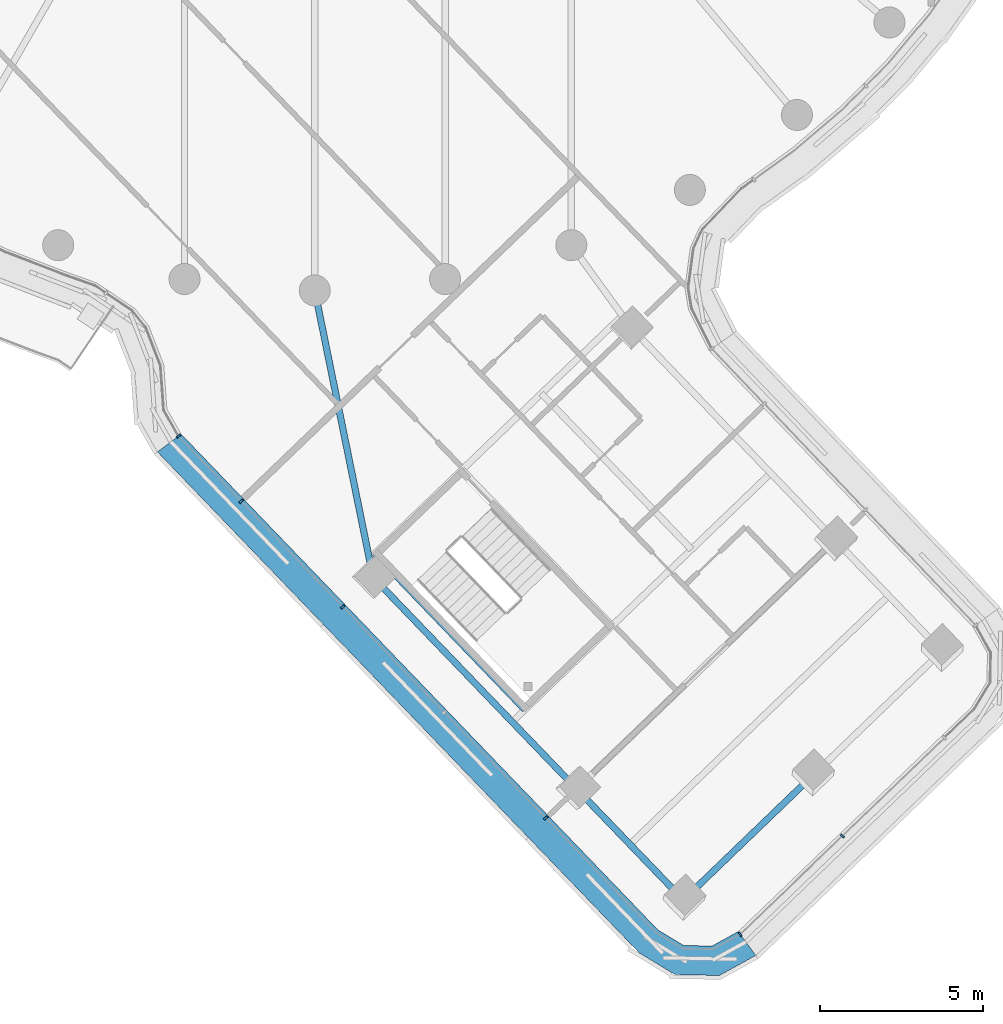
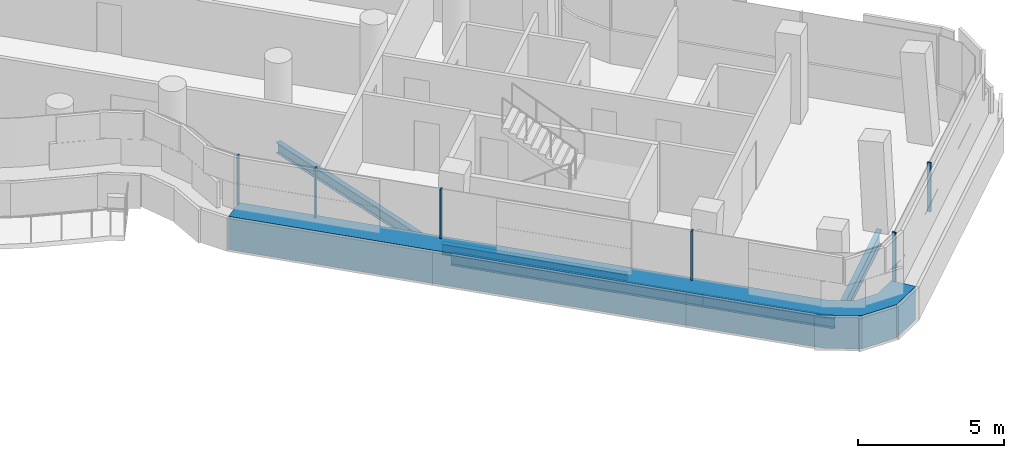
# One storey, part 5 of 34: 7 members, 5 beams, 2 elements without a shape of their own.
"""IFC4 building model written with IfcOpenShell, lengths in metres."""

from ifc_helpers import new_model, si_unit, direction, frame, origin, origin_2d, place, context, subcontext, project, spatial, polyline, rectangle, i_section, outline, extrude, material, layer, layer_set, material_profile, profile_set, type_object, element, aggregate, save


model = new_model("IFC4")

# Units and contexts
model_context = context("Model", 3, precision=1e-05, world=origin(), true_north=direction((0.0, 1.0)))
body_context = subcontext(model_context, "Body", "Model", "MODEL_VIEW")
ifc_project = project(units=[si_unit("LENGTHUNIT", "METRE"), si_unit("AREAUNIT", "SQUARE_METRE"), si_unit("VOLUMEUNIT", "CUBIC_METRE"), si_unit("PLANEANGLEUNIT", "RADIAN"), si_unit("MASSUNIT", "GRAM", prefix="KILO")], contexts=[model_context])

# Site, building, storey
site_placement = place(None, origin())
site = spatial("IfcSite", under=ifc_project, at=site_placement, CompositionType="ELEMENT")
building_placement = place(site_placement, origin())
building = spatial("IfcBuilding", under=site, at=building_placement, Name="Tamarind Cross Interchange Tower", CompositionType="ELEMENT")
storey_placement = place(building_placement, frame((0.0, 0.0, 193.300048828125)))
storey = spatial("IfcBuildingStorey", under=building, at=storey_placement, Name="L48", CompositionType="ELEMENT", Elevation=193.300048828125)

# Beams
ifc_material_1 = material(Name="Steel Q355B", Category="steel")
ifc_material_profile_1 = material_profile(ifc_material_1, i_section(OverallWidth=0.198974609375, OverallDepth=0.446044921875, WebThickness=0.008056640625, FlangeThickness=0.011962890625, FilletRadius=0.012939453125, at=origin_2d()), Name="HN 446x199x8x12")
ifc_profile_set_1 = profile_set([ifc_material_profile_1], Name="Steel Q355B")
beam_type_1 = type_object("IfcBeamType", Name="Composite beam HN 446x199x8x12 Q355B", PredefinedType="BEAM", material=ifc_profile_set_1)
beam_1_placement = place(storey_placement, frame((11.302490234375, -41.687255859375, -0.363037109375), z_axis=(-0.693148989558, 0.720794338404, 0.0), x_axis=(-0.720794338404, -0.693148989558, 0.0)))
element("IfcBeam", 1, at=beam_1_placement, inside=storey, type_object=beam_type_1, Name="Beam S-edgeem5", PredefinedType="BEAM", context=body_context, shape_type="SweptSolid", body=[
    extrude(i_section(OverallWidth=0.198974609375, OverallDepth=0.446044921875, WebThickness=0.008056640625, FlangeThickness=0.011962890625, FilletRadius=0.012939453125, at=origin_2d()), origin(), (0.0, 0.0, 1.0), 4.724609375),
])
beam_2_placement = place(storey_placement, frame((8.027587890625, -38.28173828125, -0.363037109375), z_axis=(-0.69317810497, 0.720766338553, 0.0), x_axis=(-0.720766338553, -0.69317810497, 0.0)))
element("IfcBeam", 2, at=beam_2_placement, inside=storey, type_object=beam_type_1, Name="Beam S-edgeem6", PredefinedType="BEAM", context=body_context, shape_type="SweptSolid", body=[
    extrude(i_section(OverallWidth=0.198974609375, OverallDepth=0.446044921875, WebThickness=0.008056640625, FlangeThickness=0.011962890625, FilletRadius=0.012939453125, at=origin_2d()), origin(), (0.0, 0.0, 1.0), 9.0),
])
beam_3_placement = place(storey_placement, frame((1.7890625, -31.794921875, -0.363037109375), z_axis=(-0.199337486845, 0.979930898757, 0.0), x_axis=(-0.979930898757, -0.199337486845, 0.0)))
element("IfcBeam", 3, at=beam_3_placement, inside=storey, type_object=beam_type_1, Name="Beam S-linkem", PredefinedType="BEAM", context=body_context, shape_type="SweptSolid", body=[
    extrude(i_section(OverallWidth=0.198974609375, OverallDepth=0.446044921875, WebThickness=0.008056640625, FlangeThickness=0.011962890625, FilletRadius=0.012939453125, at=origin_2d()), origin(), (0.0, 0.0, 1.0), 8.97509765625),
])
beam_4_placement = place(storey_placement, frame((1.842041015625, -31.07080078125, -0.363037109375), z_axis=(0.693174157507, -0.720770134901, 0.0), x_axis=(0.720770134901, 0.693174157507, 0.0)))
element("IfcBeam", 4, at=beam_4_placement, inside=storey, type_object=beam_type_1, Name="Beam S-tr0", PredefinedType="BEAM", context=body_context, shape_type="SweptSolid", body=[
    extrude(i_section(OverallWidth=0.198974609375, OverallDepth=0.446044921875, WebThickness=0.008056640625, FlangeThickness=0.011962890625, FilletRadius=0.012939453125, at=origin_2d()), origin(), (0.0, 0.0, 1.0), 6.63525390625),
])
ifc_material_profile_2 = material_profile(ifc_material_1, i_section(OverallWidth=0.198974609375, OverallDepth=0.595947265625, WebThickness=0.010009765625, FlangeThickness=0.014892578125, FilletRadius=0.012939453125, at=origin_2d()), Name="HN 596x199x10x15")
ifc_profile_set_2 = profile_set([ifc_material_profile_2], Name="Steel Q355B")
beam_type_2 = type_object("IfcBeamType", Name="Composite beam HN 596x199x10x15 Q355B", PredefinedType="BEAM", material=ifc_profile_set_2)
beam_5_placement = place(storey_placement, frame((11.302490234375, -41.687255859375, -0.43798828125), z_axis=(0.720776766867, 0.693167261449, 0.0), x_axis=(-0.693167261449, 0.720776766867, 0.0)))
element("IfcBeam", 5, at=beam_5_placement, inside=storey, type_object=beam_type_2, Name="Beam S-tip0", PredefinedType="BEAM", context=body_context, shape_type="SweptSolid", body=[
    extrude(i_section(OverallWidth=0.198974609375, OverallDepth=0.595947265625, WebThickness=0.010009765625, FlangeThickness=0.014892578125, FilletRadius=0.012939453125, at=origin_2d()), origin(), (0.0, 0.0, 1.0), 5.5),
])

# Curtain wall, members
ifc_material_2 = material(Name="Aluminium 6063-T6", Category="aluminium")
ifc_layer = layer(ifc_material_2, 0.139892578125)
ifc_layer_set = layer_set([ifc_layer], Name="Aluminium 6063-T6")
curtain_wall_type = type_object("IfcCurtainWallType", Name="Hotel curtain wall, 4.5 m bays", PredefinedType="NOTDEFINED", material=ifc_layer_set)
curtain_wall_1_placement = place(storey_placement, origin())
curtain_wall_1 = element("IfcCurtainWall", 6, at=curtain_wall_1_placement, inside=storey, type_object=curtain_wall_type, Name="CWS-L48-03", PredefinedType="NOTDEFINED")
ifc_material_3 = material(Name="Aluminium and insulated spandrel panel", Category="aluminium")
member_type_1 = type_object("IfcMemberType", Name="Floor-edge blade transom", PredefinedType="USERDEFINED", material=ifc_material_3)
member_1_placement = place(storey_placement, origin())
member_1 = element("IfcMember", 7, at=member_1_placement, type_object=member_type_1, Name="CWT-L48-03", ObjectType="TRANSOM", PredefinedType="USERDEFINED", context=body_context, shape_type="SweptSolid", body=[
    extrude(outline(polyline([(-4.095947265625, -27.406494140625), (10.524658203125, -42.609375), (11.308349609375, -43.08251953125), (12.1826171875, -43.099609375), (12.984130859375, -42.657470703125), (13.522705078125, -43.388427734375), (12.40625, -44.004150390625), (11.049560546875, -43.977783203125), (9.9580078125, -43.31884765625), (-4.823486328125, -27.948486328125), (-4.095947265625, -27.406494140625)])), origin(), (0.0, 0.0, 1.0), 1.39990234375),
])
ifc_material_profile_3 = material_profile(ifc_material_2, rectangle(XDim=0.06005859375, YDim=0.139892578125, at=origin_2d()), Name="Mullion CW2")
ifc_profile_set_3 = profile_set([ifc_material_profile_3], Name="Aluminium 6063-T6")
member_type_2 = type_object("IfcMemberType", Name="Mullion CW2", PredefinedType="MULLION", material=ifc_profile_set_3)
member_2_placement = place(storey_placement, frame((-4.177001953125, -27.466796875, 1.39990234375), z_axis=(0.0, 0.0, 1.0), x_axis=(0.597408297588, -0.801937233188, 0.0)))
member_2 = element("IfcMember", 8, at=member_2_placement, type_object=member_type_2, Name="CWM-L48-03-00", PredefinedType="MULLION", context=body_context, shape_type="SweptSolid", body=[
    extrude(rectangle(XDim=0.06005859375, YDim=0.139892578125, at=origin_2d()), origin(), (0.0, 0.0, 1.0), 2.06005859375),
])
member_3_placement = place(storey_placement, frame((-2.25439453125, -29.4658203125, 1.39990234375), z_axis=(0.0, 0.0, 1.0), x_axis=(0.69317039432, -0.720773753988, 0.0)))
member_3 = element("IfcMember", 9, at=member_3_placement, type_object=member_type_2, Name="CWM-L48-03-01", PredefinedType="MULLION", context=body_context, shape_type="SweptSolid", body=[
    extrude(rectangle(XDim=0.06005859375, YDim=0.139892578125, at=origin_2d()), origin(), (0.0, 0.0, 1.0), 2.06005859375),
])
member_4_placement = place(storey_placement, frame((0.857177734375, -32.701416015625, 1.39990234375), z_axis=(0.0, 0.0, 1.0), x_axis=(0.69317039432, -0.720773753988, 0.0)))
member_4 = element("IfcMember", 10, at=member_4_placement, type_object=member_type_2, Name="CWM-L48-03-02", PredefinedType="MULLION", context=body_context, shape_type="SweptSolid", body=[
    extrude(rectangle(XDim=0.06005859375, YDim=0.139892578125, at=origin_2d()), origin(), (0.0, 0.0, 1.0), 2.06005859375),
])
member_5_placement = place(storey_placement, frame((7.08056640625, -39.172607421875, 1.39990234375), z_axis=(0.0, 0.0, 1.0), x_axis=(0.69317039432, -0.720773753988, 0.0)))
member_5 = element("IfcMember", 11, at=member_5_placement, type_object=member_type_2, Name="CWM-L48-03-04", PredefinedType="MULLION", context=body_context, shape_type="SweptSolid", body=[
    extrude(rectangle(XDim=0.06005859375, YDim=0.139892578125, at=origin_2d()), origin(), (0.0, 0.0, 1.0), 2.06005859375),
])
aggregate(curtain_wall_1, [member_2, member_3, member_4, member_5, member_1])

curtain_wall_2_placement = place(storey_placement, origin())
curtain_wall_2 = element("IfcCurtainWall", 12, at=curtain_wall_2_placement, inside=storey, type_object=curtain_wall_type, Name="CWS-L48-04", PredefinedType="NOTDEFINED")
member_6_placement = place(storey_placement, frame((13.0439453125, -42.73876953125, 1.39990234375), z_axis=(0.0, 0.0, 1.0), x_axis=(0.805084326735, 0.593160371945, 0.0)))
member_6 = element("IfcMember", 13, at=member_6_placement, type_object=member_type_2, Name="CWM-L48-04-00", PredefinedType="MULLION", context=body_context, shape_type="SweptSolid", body=[
    extrude(rectangle(XDim=0.06005859375, YDim=0.139892578125, at=origin_2d()), origin(), (0.0, 0.0, 1.0), 2.06005859375),
])
member_7_placement = place(storey_placement, frame((16.17626953125, -39.7265625, 1.39990234375), z_axis=(0.0, 0.0, 1.0), x_axis=(0.720773753988, 0.69317039432, 0.0)))
member_7 = element("IfcMember", 14, at=member_7_placement, type_object=member_type_2, Name="CWM-L48-04-01", PredefinedType="MULLION", context=body_context, shape_type="SweptSolid", body=[
    extrude(rectangle(XDim=0.06005859375, YDim=0.139892578125, at=origin_2d()), origin(), (0.0, 0.0, 1.0), 2.06005859375),
])
aggregate(curtain_wall_2, [member_6, member_7])

save(model, "model.ifc")
